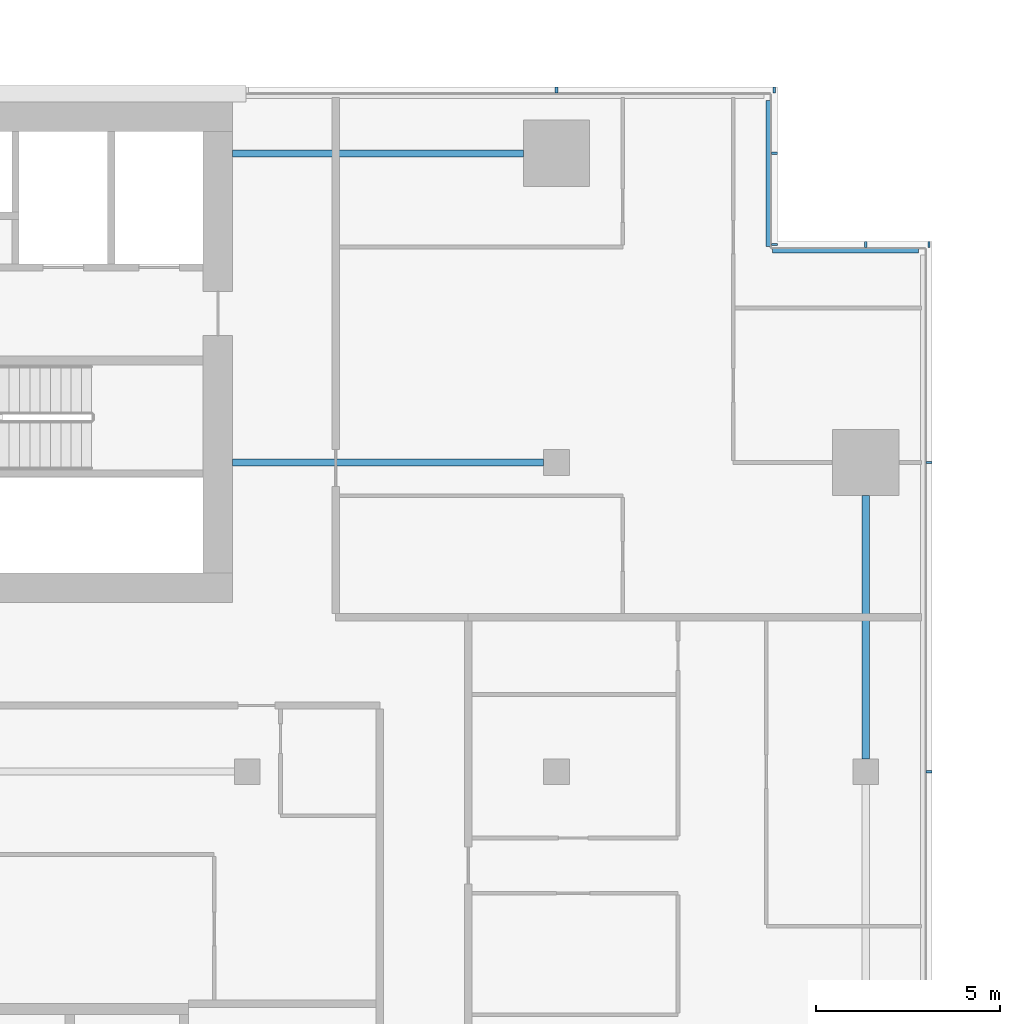
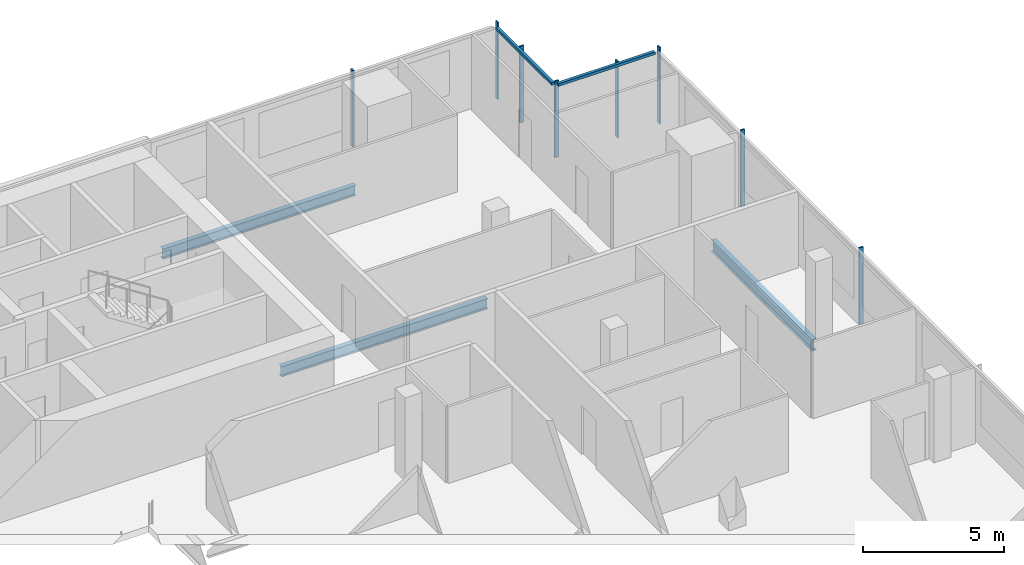
# One storey, part 15 of 30: 10 members, 3 beams, 4 elements without a shape of their own.
"""IFC4 building model written with IfcOpenShell, lengths in metres."""

from ifc_helpers import new_model, si_unit, direction, frame, origin, origin_2d, place, context, subcontext, project, spatial, rectangle, i_section, extrude, material, material_profile, profile_set, type_object, element, aggregate, save


model = new_model("IFC4")

# Units and contexts
model_context = context("Model", 3, precision=1e-05, world=origin(), true_north=direction((0.0, 1.0)))
body_context = subcontext(model_context, "Body", "Model", "MODEL_VIEW")
ifc_project = project(units=[si_unit("LENGTHUNIT", "METRE"), si_unit("AREAUNIT", "SQUARE_METRE"), si_unit("VOLUMEUNIT", "CUBIC_METRE"), si_unit("PLANEANGLEUNIT", "RADIAN"), si_unit("MASSUNIT", "GRAM", prefix="KILO")], contexts=[model_context])

# Site, building, storey
site_placement = place(None, origin())
site = spatial("IfcSite", under=ifc_project, at=site_placement, CompositionType="ELEMENT")
building_placement = place(site_placement, origin())
building = spatial("IfcBuilding", under=site, at=building_placement, Name="Saffron Gate Tower", CompositionType="ELEMENT")
storey_placement = place(building_placement, frame((0.0, 0.0, 179.85009765625)))
storey = spatial("IfcBuildingStorey", under=building, at=storey_placement, Name="L44", CompositionType="ELEMENT", Elevation=179.85009765625)

# Beams
ifc_material_1 = material(Name="Structural steel S355", Category="steel")
ifc_material_profile_1 = material_profile(ifc_material_1, i_section(OverallWidth=0.199951171875, OverallDepth=0.5, WebThickness=0.01025390625, FlangeThickness=0.01611328125, FilletRadius=0.02099609375, at=origin_2d()))
ifc_profile_set_1 = profile_set([ifc_material_profile_1], Name="Structural steel S355")
beam_type_1 = type_object("IfcBeamType", Name="B11 IPE 500", PredefinedType="SPANDREL", material=ifc_profile_set_1)
beam_1_placement = place(storey_placement, frame((125.39990234375, 57.35009765625, -0.530029296875), z_axis=(0.0, 1.0, 0.0), x_axis=(-1.0, 0.0, 0.0)))
element("IfcBeam", 1, at=beam_1_placement, inside=storey, type_object=beam_type_1, Name="B11 SPANDREL BEAM", PredefinedType="SPANDREL", context=body_context, shape_type="SweptSolid", body=[
    extrude(i_section(OverallWidth=0.199951171875, OverallDepth=0.5, WebThickness=0.01025390625, FlangeThickness=0.01611328125, FilletRadius=0.02099609375, at=origin_2d()), origin(), (0.0, 0.0, 1.0), 7.14990234375),
])
ifc_material_profile_2 = material_profile(ifc_material_1, i_section(OverallWidth=0.18994140625, OverallDepth=0.449951171875, WebThickness=0.009521484375, FlangeThickness=0.0146484375, FilletRadius=0.02099609375, at=origin_2d()))
ifc_profile_set_2 = profile_set([ifc_material_profile_2], Name="Structural steel S355")
beam_type_2 = type_object("IfcBeamType", Name="B6 IPE 450", PredefinedType="BEAM", material=ifc_profile_set_2)
beam_2_placement = place(storey_placement, frame((116.64990234375, 65.39990234375, -0.505126953125), z_axis=(-1.0, 0.0, 0.0), x_axis=(0.0, -1.0, 0.0)))
element("IfcBeam", 2, at=beam_2_placement, inside=storey, type_object=beam_type_2, Name="B6 CORE TIE BEAM", PredefinedType="BEAM", context=body_context, shape_type="SweptSolid", body=[
    extrude(i_section(OverallWidth=0.18994140625, OverallDepth=0.449951171875, WebThickness=0.009521484375, FlangeThickness=0.0146484375, FilletRadius=0.02099609375, at=origin_2d()), origin(), (0.0, 0.0, 1.0), 8.449951171875),
])
beam_3_placement = place(storey_placement, frame((116.10009765625, 73.800048828125, -0.505126953125), z_axis=(-1.0, 0.0, 0.0), x_axis=(0.0, -1.0, 0.0)))
element("IfcBeam", 3, at=beam_3_placement, inside=storey, type_object=beam_type_2, Name="B6 CORE TIE BEAM", PredefinedType="BEAM", context=body_context, shape_type="SweptSolid", body=[
    extrude(i_section(OverallWidth=0.18994140625, OverallDepth=0.449951171875, WebThickness=0.009521484375, FlangeThickness=0.0146484375, FilletRadius=0.02099609375, at=origin_2d()), origin(), (0.0, 0.0, 1.0), 7.900146484375),
])

# Curtain wall, members
ifc_material_2 = material(Name="Aluminium, bronze anodised", Category="aluminium")
curtain_wall_type_1 = type_object("IfcCurtainWallType", Name="CWS2 curtain wall side facades", PredefinedType="NOTDEFINED", material=ifc_material_2)
curtain_wall_1_placement = place(storey_placement, origin())
curtain_wall_1 = element("IfcCurtainWall", 4, at=curtain_wall_1_placement, inside=storey, type_object=curtain_wall_type_1, Name="CWS2 run 4", PredefinedType="NOTDEFINED")
ifc_material_profile_3 = material_profile(ifc_material_2, rectangle(XDim=0.159912109375, YDim=0.06005859375, at=origin_2d()))
ifc_profile_set_3 = profile_set([ifc_material_profile_3], Name="Aluminium, bronze anodised")
member_type_1 = type_object("IfcMemberType", Name="CWS2 mullion 60x160", PredefinedType="MULLION", material=ifc_profile_set_3)
member_1_placement = place(storey_placement, frame((127.1201171875, 57.0, 0.0), z_axis=(0.0, 0.0, 1.0), x_axis=(-1.0, 0.0, 0.0)))
member_1 = element("IfcMember", 5, at=member_1_placement, type_object=member_type_1, Name="CWS2 mullion 4", PredefinedType="MULLION", context=body_context, shape_type="SweptSolid", body=[
    extrude(rectangle(XDim=0.159912109375, YDim=0.06005859375, at=origin_2d()), origin(), (0.0, 0.0, 1.0), 3.31982421875),
])
member_2_placement = place(storey_placement, frame((127.1201171875, 65.39990234375, 0.0), z_axis=(0.0, 0.0, 1.0), x_axis=(-1.0, 0.0, 0.0)))
member_2 = element("IfcMember", 6, at=member_2_placement, type_object=member_type_1, Name="CWS2 mullion 5", PredefinedType="MULLION", context=body_context, shape_type="SweptSolid", body=[
    extrude(rectangle(XDim=0.159912109375, YDim=0.06005859375, at=origin_2d()), origin(), (0.0, 0.0, 1.0), 3.31982421875),
])
aggregate(curtain_wall_1, [member_1, member_2])

curtain_wall_type_2 = type_object("IfcCurtainWallType", Name="CWS3 curtain wall rear facade", PredefinedType="NOTDEFINED", material=ifc_material_2)
curtain_wall_2_placement = place(storey_placement, origin())
curtain_wall_2 = element("IfcCurtainWall", 7, at=curtain_wall_2_placement, inside=storey, type_object=curtain_wall_type_2, Name="CWS3 run 7", PredefinedType="NOTDEFINED")
ifc_material_profile_4 = material_profile(ifc_material_2, rectangle(XDim=0.159912109375, YDim=0.070068359375, at=origin_2d()))
ifc_profile_set_4 = profile_set([ifc_material_profile_4], Name="Aluminium, bronze anodised")
member_type_2 = type_object("IfcMemberType", Name="CWS3 mullion 70x160", PredefinedType="MULLION", material=ifc_profile_set_4)
member_3_placement = place(storey_placement, frame((122.919921875, 75.52001953125, 0.0), z_axis=(0.0, 0.0, 1.0), x_axis=(0.0, -1.0, 0.0)))
member_3 = element("IfcMember", 8, at=member_3_placement, type_object=member_type_2, Name="CWS3 mullion 1", PredefinedType="MULLION", context=body_context, shape_type="SweptSolid", body=[
    extrude(rectangle(XDim=0.159912109375, YDim=0.070068359375, at=origin_2d()), origin(), (0.0, 0.0, 1.0), 3.31982421875),
])
member_4_placement = place(storey_placement, frame((117.0, 75.52001953125, 0.0), z_axis=(0.0, 0.0, 1.0), x_axis=(0.0, -1.0, 0.0)))
member_4 = element("IfcMember", 9, at=member_4_placement, type_object=member_type_2, Name="CWS3 mullion 2", PredefinedType="MULLION", context=body_context, shape_type="SweptSolid", body=[
    extrude(rectangle(XDim=0.159912109375, YDim=0.070068359375, at=origin_2d()), origin(), (0.0, 0.0, 1.0), 3.31982421875),
])
aggregate(curtain_wall_2, [member_3, member_4])

# Curtain wall, member
curtain_wall_type_3 = type_object("IfcCurtainWallType", Name="CWS4 curtain wall corner returns", PredefinedType="NOTDEFINED", material=ifc_material_2)
curtain_wall_3_placement = place(storey_placement, origin())
curtain_wall_3 = element("IfcCurtainWall", 10, at=curtain_wall_3_placement, inside=storey, type_object=curtain_wall_type_3, Name="CWS4 run 5", PredefinedType="NOTDEFINED")
ifc_material_profile_5 = material_profile(ifc_material_2, rectangle(XDim=0.1201171875, YDim=0.1201171875, at=origin_2d()))
ifc_profile_set_5 = profile_set([ifc_material_profile_5], Name="Aluminium, bronze anodised")
member_type_3 = type_object("IfcMemberType", Name="CWS4 head transom", PredefinedType="USERDEFINED", material=ifc_profile_set_5)
member_5_placement = place(storey_placement, frame((126.83203125, 71.152099609375, 3.260009765625), z_axis=(-1.0, 0.0, 0.0), x_axis=(0.0, -1.0, 0.0)))
member_5 = element("IfcMember", 11, at=member_5_placement, type_object=member_type_3, Name="CWS4 head transom", ObjectType="TRANSOM", PredefinedType="USERDEFINED", context=body_context, shape_type="SweptSolid", body=[
    extrude(rectangle(XDim=0.1201171875, YDim=0.1201171875, at=origin_2d()), origin(), (0.0, 0.0, 1.0), 3.9599609375),
])

curtain_wall_4_placement = place(storey_placement, origin())
curtain_wall_4 = element("IfcCurtainWall", 12, at=curtain_wall_4_placement, inside=storey, type_object=curtain_wall_type_3, Name="CWS4 run 6", PredefinedType="NOTDEFINED")
member_6_placement = place(storey_placement, frame((122.751953125, 71.27197265625, 3.260009765625), z_axis=(0.0, 1.0, 0.0), x_axis=(-1.0, 0.0, 0.0)))
member_6 = element("IfcMember", 13, at=member_6_placement, type_object=member_type_3, Name="CWS4 head transom", ObjectType="TRANSOM", PredefinedType="USERDEFINED", context=body_context, shape_type="SweptSolid", body=[
    extrude(rectangle(XDim=0.1201171875, YDim=0.1201171875, at=origin_2d()), origin(), (0.0, 0.0, 1.0), 3.9599609375),
])

# Member
ifc_material_profile_6 = material_profile(ifc_material_2, rectangle(XDim=0.159912109375, YDim=0.06005859375, at=origin_2d()))
ifc_profile_set_6 = profile_set([ifc_material_profile_6], Name="Aluminium, bronze anodised")
member_type_4 = type_object("IfcMemberType", Name="CWS4 mullion 60x160", PredefinedType="MULLION", material=ifc_profile_set_6)
member_7_placement = place(storey_placement, frame((127.1201171875, 71.320068359375, 0.0), z_axis=(0.0, 0.0, 1.0), x_axis=(0.0, -1.0, 0.0)))
member_7 = element("IfcMember", 14, at=member_7_placement, type_object=member_type_4, Name="CWS4 mullion 1", PredefinedType="MULLION", context=body_context, shape_type="SweptSolid", body=[
    extrude(rectangle(XDim=0.159912109375, YDim=0.06005859375, at=origin_2d()), origin(), (0.0, 0.0, 1.0), 3.31982421875),
])

member_8_placement = place(storey_placement, frame((125.39990234375, 71.320068359375, 0.0), z_axis=(0.0, 0.0, 1.0), x_axis=(0.0, -1.0, 0.0)))
member_8 = element("IfcMember", 15, at=member_8_placement, type_object=member_type_4, Name="CWS4 mullion 2", PredefinedType="MULLION", context=body_context, shape_type="SweptSolid", body=[
    extrude(rectangle(XDim=0.159912109375, YDim=0.06005859375, at=origin_2d()), origin(), (0.0, 0.0, 1.0), 3.31982421875),
])

aggregate(curtain_wall_3, [member_7, member_8, member_5])

member_9_placement = place(storey_placement, frame((122.919921875, 71.320068359375, 0.0), z_axis=(0.0, 0.0, 1.0), x_axis=(-1.0, 0.0, 0.0)))
member_9 = element("IfcMember", 16, at=member_9_placement, type_object=member_type_4, Name="CWS4 mullion 1", PredefinedType="MULLION", context=body_context, shape_type="SweptSolid", body=[
    extrude(rectangle(XDim=0.159912109375, YDim=0.06005859375, at=origin_2d()), origin(), (0.0, 0.0, 1.0), 3.31982421875),
])

member_10_placement = place(storey_placement, frame((122.919921875, 73.800048828125, 0.0), z_axis=(0.0, 0.0, 1.0), x_axis=(-1.0, 0.0, 0.0)))
member_10 = element("IfcMember", 17, at=member_10_placement, type_object=member_type_4, Name="CWS4 mullion 2", PredefinedType="MULLION", context=body_context, shape_type="SweptSolid", body=[
    extrude(rectangle(XDim=0.159912109375, YDim=0.06005859375, at=origin_2d()), origin(), (0.0, 0.0, 1.0), 3.31982421875),
])

aggregate(curtain_wall_4, [member_9, member_10, member_6])

save(model, "model.ifc")
